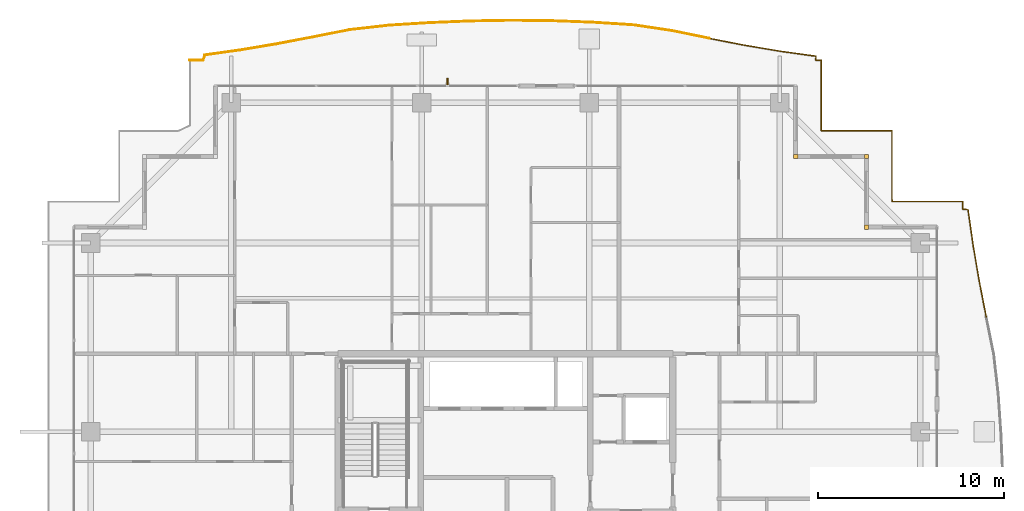
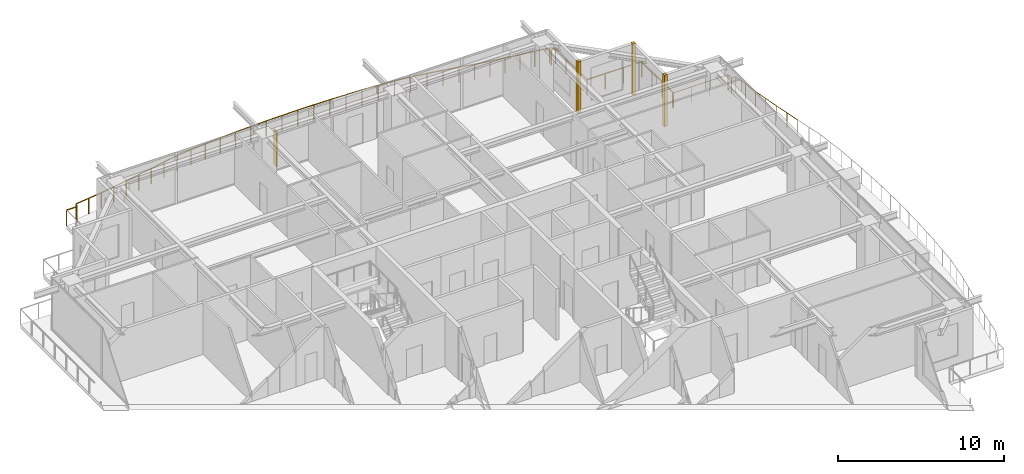
# One storey, part 40 of 40: 4 railings, 3 coverings, 1 shading device.
"""IFC4 building model written with IfcOpenShell, lengths in metres."""

import ifcopenshell
import ifcopenshell.guid

model = None  # the IFC model being written
_history = None  # IfcOwnerHistory: only IFC2X3 demands one
_inside = {}  # id of a spatial element -> (the spatial element, [elements in it])
_under = {}  # id of a project, library or spatial element -> (it, [spatial elements below it])
_declared = {}  # id of a project -> (the project, [libraries it declares])
_typed = {}  # id of a type object -> (the type object, [elements of that type])
_made_of = {}  # id of a material, layer set ... -> (it, [elements and type objects made of it])


def new_model(schema):
    """Start an empty IFC model of exactly this schema.

    Asked for "IFC4X3", IfcOpenShell would pick the latest addendum, in which some entities
    have other attributes; the version numbers below select the first issue.
    IFC2X3 requires an IfcOwnerHistory on every rooted entity: one is made here for all.
    """
    global model, _history
    if schema == "IFC4X3":
        model = ifcopenshell.file(schema_version=(4, 3, 0, 0))
    else:
        model = ifcopenshell.file(schema=schema)
    _inside.clear()
    _under.clear()
    _declared.clear()
    _typed.clear()
    _made_of.clear()
    _history = None
    if model.schema == "IFC2X3":
        org = make("IfcOrganization", Name="unknown")
        user = make(
            "IfcPersonAndOrganization",
            ThePerson=make("IfcPerson", FamilyName="unknown"),
            TheOrganization=org,
        )
        app = make(
            "IfcApplication",
            ApplicationDeveloper=org,
            Version="unknown",
            ApplicationFullName="unknown",
            ApplicationIdentifier="unknown",
        )
        _history = make(
            "IfcOwnerHistory",
            OwningUser=user,
            OwningApplication=app,
            ChangeAction="ADDED",
            CreationDate=0,
        )
    return model


def make(cls, **values):
    """One entity of the class cls with the attributes given. An attribute that is None is left unset."""
    return model.create_entity(
        cls, **{name: value for name, value in values.items() if value is not None}
    )


def rooted(cls, **values):
    """An entity with a GlobalId (a new one), such as an element, a storey or a relation."""
    return make(cls, GlobalId=ifcopenshell.guid.new(), OwnerHistory=_history, **values)


def si_unit(unit_type, name, prefix=None):
    """IfcSIUnit, for example si_unit("LENGTHUNIT", "METRE", prefix="MILLI")."""
    return make("IfcSIUnit", UnitType=unit_type, Prefix=prefix, Name=name)


def assignment(units):
    """IfcUnitAssignment: the units of a project."""
    return None if units is None else make("IfcUnitAssignment", Units=units)


def point(xyz):
    """IfcCartesianPoint."""
    return None if xyz is None else make("IfcCartesianPoint", Coordinates=xyz)


def direction(xyz):
    """IfcDirection."""
    return None if xyz is None else make("IfcDirection", DirectionRatios=xyz)


def frame(location, z_axis=None, x_axis=None):
    """IfcAxis2Placement3D, a coordinate frame: its origin and axes. An axis left out is left unset."""
    return make(
        "IfcAxis2Placement3D",
        Location=point(location),
        Axis=direction(z_axis),
        RefDirection=direction(x_axis),
    )


def frame_2d(location, x_axis=None):
    """IfcAxis2Placement2D, a coordinate frame in the plane: its origin and x axis."""
    return make(
        "IfcAxis2Placement2D", Location=point(location), RefDirection=direction(x_axis)
    )


def origin():
    """The frame at (0, 0, 0) with its axes left unset."""
    return frame((0.0, 0.0, 0.0))


def origin_2d():
    """The frame at (0, 0) in the plane with its x axis left unset."""
    return frame_2d((0.0, 0.0))


def place(relative_to, where):
    """IfcLocalPlacement: puts the frame where relative to a parent placement (None: the world)."""
    return make(
        "IfcLocalPlacement", PlacementRelTo=relative_to, RelativePlacement=where
    )


def context(
    kind, dimensions, precision=None, world=None, true_north=None, identifier=None
):
    """IfcGeometricRepresentationContext, for example the 3D "Model" context."""
    return make(
        "IfcGeometricRepresentationContext",
        ContextIdentifier=identifier,
        ContextType=kind,
        CoordinateSpaceDimension=dimensions,
        Precision=precision,
        WorldCoordinateSystem=world,
        TrueNorth=true_north,
    )


def subcontext(parent, identifier, kind, view, scale=None):
    """IfcGeometricRepresentationSubContext, for example "Body" below "Model"."""
    return make(
        "IfcGeometricRepresentationSubContext",
        ContextIdentifier=identifier,
        ContextType=kind,
        ParentContext=parent,
        TargetScale=scale,
        TargetView=view,
    )


def project(units=None, contexts=None):
    """IfcProject with its units and contexts."""
    return rooted(
        "IfcProject",
        Name="project",
        RepresentationContexts=contexts,
        UnitsInContext=assignment(units),
    )


def spatial(cls, under=None, at=None, **own):
    """A site, building, storey or space (cls), placed at a placement, below another one or the project."""
    s = rooted(cls, ObjectPlacement=at, **own)
    if under is not None:
        _under.setdefault(under.id(), (under, []))[1].append(s)
    return s


def profile(cls, at=None, kind="AREA", **sizes):
    """A parametric profile (cls). Its sizes go by their IFC names, for example OverallWidth=200.0."""
    return make(cls, ProfileType=kind, Position=at, **sizes)


def rectangle(**sizes):
    """IfcRectangleProfileDef."""
    return profile("IfcRectangleProfileDef", **sizes)


def circle(**sizes):
    """IfcCircleProfileDef."""
    return profile("IfcCircleProfileDef", **sizes)


def extrude(swept, where, along, depth):
    """IfcExtrudedAreaSolid: the profile swept, set in the frame where, extruded along a direction by depth."""
    return make(
        "IfcExtrudedAreaSolid",
        SweptArea=swept,
        Position=where,
        ExtrudedDirection=direction(along),
        Depth=depth,
    )


def shape(context_of_items, identifier, shape_type, items):
    """IfcShapeRepresentation: the items that make up one representation, for example the "Body"."""
    return make(
        "IfcShapeRepresentation",
        ContextOfItems=context_of_items,
        RepresentationIdentifier=identifier,
        RepresentationType=shape_type,
        Items=items,
    )


def source(mapping_origin, context_of_items, identifier, shape_type, items):
    """IfcRepresentationMap: a shape defined once, which mapped items show again and again."""
    return make(
        "IfcRepresentationMap",
        MappingOrigin=mapping_origin,
        MappedRepresentation=shape(context_of_items, identifier, shape_type, items),
    )


def transform(
    local_origin,
    x_axis=None,
    y_axis=None,
    z_axis=None,
    scale=None,
    scale2=None,
    scale3=None,
    uniform=True,
):
    """IfcCartesianTransformationOperator3D, or its non-uniform kind. x_axis, y_axis, z_axis: its Axis1, 2, 3."""
    if uniform:
        return make(
            "IfcCartesianTransformationOperator3D",
            Axis1=direction(x_axis),
            Axis2=direction(y_axis),
            LocalOrigin=point(local_origin),
            Scale=scale,
            Axis3=direction(z_axis),
        )
    return make(
        "IfcCartesianTransformationOperator3DnonUniform",
        Axis1=direction(x_axis),
        Axis2=direction(y_axis),
        LocalOrigin=point(local_origin),
        Scale=scale,
        Axis3=direction(z_axis),
        Scale2=scale2,
        Scale3=scale3,
    )


def mapped(mapping_source, mapping_target):
    """IfcMappedItem: shows the shape of a source again, moved by a transform."""
    return make(
        "IfcMappedItem", MappingSource=mapping_source, MappingTarget=mapping_target
    )


def material(Name=None, Category=None):
    """IfcMaterial."""
    return make("IfcMaterial", Name=Name, Category=Category)


def layer(
    of_material, thickness, ventilated=None, Name=None, Category=None, Priority=None
):
    """IfcMaterialLayer: one layer of a wall or slab, of a material (None: an air gap)."""
    return make(
        "IfcMaterialLayer",
        Material=of_material,
        LayerThickness=thickness,
        IsVentilated=ventilated,
        Name=Name,
        Category=Category,
        Priority=Priority,
    )


def layer_set(layers, Name=None):
    """IfcMaterialLayerSet."""
    return make("IfcMaterialLayerSet", MaterialLayers=layers, LayerSetName=Name)


def made_of(thing, what):
    """Note that an element or type object is made of a material, layer set ...; save() writes the relation."""
    if what is not None:
        _made_of.setdefault(what.id(), (what, []))[1].append(thing)
    return thing


def type_object(cls, material=None, **own):
    """A type object (cls), such as IfcWallType, which elements share."""
    return made_of(rooted(cls, **own), material)


def element(
    cls,
    number,
    at=None,
    inside=None,
    cuts=None,
    type_object=None,
    material=None,
    context=None,
    identifier="Body",
    shape_type=None,
    held_by="IfcProductDefinitionShape",
    body=None,
    shapes=None,
    **own,
):
    """One element of the class cls, such as IfcWall. Its Tag is "e" and its number.

    at: its placement. inside: the storey or other place that contains it. cuts: it is an
    opening in that element (IfcRelVoidsElement). A single representation is given by context,
    identifier, shape_type and body (its items); several are given by shapes. held_by: the class
    of the entity that holds the representations. save() writes the other relations.
    """
    e = rooted(cls, Tag="e%d" % number, ObjectPlacement=at, **own)
    if body is not None:
        shapes = [shape(context, identifier, shape_type, body)]
    if shapes is not None:
        e.Representation = make(held_by, Representations=shapes)
    if inside is not None:
        _inside.setdefault(inside.id(), (inside, []))[1].append(e)
    if cuts is not None:
        rooted(
            "IfcRelVoidsElement", RelatingBuildingElement=cuts, RelatedOpeningElement=e
        )
    if type_object is not None:
        _typed.setdefault(type_object.id(), (type_object, []))[1].append(e)
    return made_of(e, material)


def aggregate(whole, parts):
    """IfcRelAggregates: a whole, such as a stair, and the parts it consists of."""
    return rooted("IfcRelAggregates", RelatingObject=whole, RelatedObjects=parts)


def save(model, path):
    """Write the relations noted so far, then the file.

    IfcRelAggregates (storeys below a building ...), IfcRelContainedInSpatialStructure (elements
    in a storey), IfcRelDefinesByType, IfcRelAssociatesMaterial and IfcRelDeclares: one each for
    every whole, place, type object, material and project.
    """
    for whole, parts in _under.values():
        aggregate(whole, parts)
    for where, things in _inside.values():
        rooted(
            "IfcRelContainedInSpatialStructure",
            RelatedElements=things,
            RelatingStructure=where,
        )
    for kind, things in _typed.values():
        rooted("IfcRelDefinesByType", RelatedObjects=things, RelatingType=kind)
    for what, things in _made_of.values():
        rooted("IfcRelAssociatesMaterial", RelatedObjects=things, RelatingMaterial=what)
    for by, libraries in _declared.values():
        rooted("IfcRelDeclares", RelatingContext=by, RelatedDefinitions=libraries)
    model.write(path)


model = new_model("IFC4")

# Units and contexts
model_context = context("Model", 3, precision=1e-05, world=origin(), true_north=direction((0.0, 1.0)))
body_context = subcontext(model_context, "Body", "Model", "MODEL_VIEW")
ifc_project = project(units=[si_unit("LENGTHUNIT", "METRE"), si_unit("AREAUNIT", "SQUARE_METRE"), si_unit("VOLUMEUNIT", "CUBIC_METRE"), si_unit("PLANEANGLEUNIT", "RADIAN"), si_unit("MASSUNIT", "GRAM", prefix="KILO")], contexts=[model_context])

# Site, building, storey
site_placement = place(None, origin())
site = spatial("IfcSite", under=ifc_project, at=site_placement, CompositionType="ELEMENT")
building_placement = place(site_placement, origin())
building = spatial("IfcBuilding", under=site, at=building_placement, Name="Serunith Strait Residences", CompositionType="ELEMENT")
storey_placement = place(building_placement, frame((0.0, 0.0, 313.699951171875)))
storey = spatial("IfcBuildingStorey", under=building, at=storey_placement, Name="L78", CompositionType="ELEMENT", Elevation=313.699951171875)

# Railings
ifc_material_1 = material(Name="Stainless Steel & Laminated Glass Balustrade", Category="steel")
railing_type = type_object("IfcRailingType", Name="RLG-BALC-1150", PredefinedType="BALUSTRADE", material=ifc_material_1)
railing_1_placement = place(storey_placement, frame((15.419921875, 49.3798828125, -0.050048828125)))
element("IfcRailing", 1, at=railing_1_placement, inside=storey, type_object=railing_type, Name="L78 Swirling Balcony Perimeter Balustrade 1", PredefinedType="BALUSTRADE", context=body_context, shape_type="SweptSolid", body=[
    extrude(circle(Radius=0.02392578125, at=origin_2d()), frame((0.001953125, 0.0, 1.1259765625), z_axis=(1.0, 0.0, 0.0), x_axis=(0.0, 1.0, 0.0)), (0.0, 0.0, 1.0), 0.72607421875),
    extrude(circle(Radius=0.02392578125, at=origin_2d()), frame((0.730712890625, 0.001953125, 1.1259765625), z_axis=(0.31419451508, 0.949358629125, 0.0), x_axis=(-0.949358629125, 0.31419451508, 0.0)), (0.0, 0.0, 1.0), 0.2841796875),
    extrude(circle(Radius=0.02392578125, at=origin_2d()), frame((0.822509765625, 0.27392578125, 1.1259765625), z_axis=(0.990224773786, 0.139480813668, 0.0), x_axis=(-0.139480813668, 0.990224773786, 0.0)), (0.0, 0.0, 1.0), 1.916015625),
    extrude(circle(Radius=0.02392578125, at=origin_2d()), frame((2.723876953125, 0.541748046875, 1.1259765625), z_axis=(0.986172650087, 0.165721164071, 0.0), x_axis=(-0.165721164071, 0.986172650087, 0.0)), (0.0, 0.0, 1.0), 1.942138671875),
    extrude(circle(Radius=0.02392578125, at=origin_2d()), frame((4.64306640625, 0.864501953125, 1.1259765625), z_axis=(0.982482261647, 0.1863561256, 0.0), x_axis=(-0.1863561256, 0.982482261647, 0.0)), (0.0, 0.0, 1.0), 1.984619140625),
    extrude(circle(Radius=0.02392578125, at=origin_2d()), frame((6.596923828125, 1.235107421875, 1.1259765625), z_axis=(0.98088689854, 0.194578755962, 0.0), x_axis=(-0.194578755962, 0.98088689854, 0.0)), (0.0, 0.0, 1.0), 2.04248046875),
    extrude(circle(Radius=0.02392578125, at=origin_2d()), frame((8.604248046875, 1.633056640625, 1.1259765625), z_axis=(0.993673295543, 0.112309312729, 0.0), x_axis=(-0.112309312729, 0.993673295543, 0.0)), (0.0, 0.0, 1.0), 2.1220703125),
    extrude(circle(Radius=0.02392578125, at=origin_2d()), frame((10.716796875, 1.871826171875, 1.1259765625), z_axis=(0.998046891028, 0.062469218891, 0.0), x_axis=(-0.062469218891, 0.998046891028, 0.0)), (0.0, 0.0, 1.0), 2.1689453125),
    extrude(circle(Radius=0.02099609375, at=origin_2d()), origin(), (0.0, 0.0, 1.0), 1.099853515625),
    extrude(circle(Radius=0.02099609375, at=origin_2d()), frame((0.72998046875, 0.0, 0.0)), (0.0, 0.0, 1.0), 1.099853515625),
    extrude(circle(Radius=0.02099609375, at=origin_2d()), frame((0.820556640625, 0.273681640625, 0.0)), (0.0, 0.0, 1.0), 1.099853515625),
    extrude(circle(Radius=0.02099609375, at=origin_2d()), frame((1.771240234375, 0.40771484375, 0.0)), (0.0, 0.0, 1.0), 1.099853515625),
    extrude(circle(Radius=0.02099609375, at=origin_2d()), frame((2.721923828125, 0.54150390625, 0.0)), (0.0, 0.0, 1.0), 1.099853515625),
    extrude(circle(Radius=0.02099609375, at=origin_2d()), frame((3.681640625, 0.70263671875, 0.0)), (0.0, 0.0, 1.0), 1.099853515625),
    extrude(circle(Radius=0.02099609375, at=origin_2d()), frame((4.64111328125, 0.864013671875, 0.0)), (0.0, 0.0, 1.0), 1.099853515625),
    extrude(circle(Radius=0.02099609375, at=origin_2d()), frame((5.6181640625, 1.04931640625, 0.0)), (0.0, 0.0, 1.0), 1.099853515625),
    extrude(circle(Radius=0.02099609375, at=origin_2d()), frame((6.594970703125, 1.234619140625, 0.0)), (0.0, 0.0, 1.0), 1.099853515625),
    extrude(circle(Radius=0.02099609375, at=origin_2d()), frame((7.5986328125, 1.43359375, 0.0)), (0.0, 0.0, 1.0), 1.099853515625),
    extrude(circle(Radius=0.02099609375, at=origin_2d()), frame((8.602294921875, 1.6328125, 0.0)), (0.0, 0.0, 1.0), 1.099853515625),
    extrude(circle(Radius=0.02099609375, at=origin_2d()), frame((9.65869140625, 1.752197265625, 0.0)), (0.0, 0.0, 1.0), 1.099853515625),
    extrude(circle(Radius=0.02099609375, at=origin_2d()), frame((10.71484375, 1.87158203125, 0.0)), (0.0, 0.0, 1.0), 1.099853515625),
    extrude(circle(Radius=0.02099609375, at=origin_2d()), frame((11.79931640625, 1.939453125, 0.0)), (0.0, 0.0, 1.0), 1.099853515625),
    extrude(circle(Radius=0.02099609375, at=origin_2d()), frame((12.883544921875, 2.00732421875, 0.0)), (0.0, 0.0, 1.0), 1.099853515625),
])
railing_2_placement = place(storey_placement, frame((28.303466796875, 51.38720703125, -0.050048828125)))
element("IfcRailing", 2, at=railing_2_placement, inside=storey, type_object=railing_type, Name="L78 Swirling Balcony Perimeter Balustrade 2", PredefinedType="BALUSTRADE", context=body_context, shape_type="SweptSolid", body=[
    extrude(circle(Radius=0.02392578125, at=origin_2d()), frame((0.001953125, 0.0, 1.1259765625), z_axis=(0.999149559073, 0.041232979579, 0.0), x_axis=(-0.041232979579, 0.999149559073, 0.0)), (0.0, 0.0, 1.0), 2.192626953125),
    extrude(circle(Radius=0.02392578125, at=origin_2d()), frame((2.19677734375, 0.090576171875, 1.1259765625), z_axis=(0.999860833061, 0.016682760861, 0.0), x_axis=(-0.016682760861, 0.999860833061, 0.0)), (0.0, 0.0, 1.0), 2.205810546875),
    extrude(circle(Radius=0.02392578125, at=origin_2d()), frame((4.40625, 0.12744140625, 1.1259765625), z_axis=(0.999946086007, -0.01038388556, 0.0), x_axis=(0.01038388556, 0.999946086007, 0.0)), (0.0, 0.0, 1.0), 2.2060546875),
    extrude(circle(Radius=0.02392578125, at=origin_2d()), frame((6.6162109375, 0.1044921875, 1.1259765625), z_axis=(0.999281553316, -0.03789956731, 0.0), x_axis=(0.03789956731, 0.999281553316, 0.0)), (0.0, 0.0, 1.0), 2.192626953125),
    extrude(circle(Radius=0.02392578125, at=origin_2d()), frame((8.811279296875, 0.02099609375, 1.1259765625), z_axis=(0.997994400812, -0.063302258636, 0.0), x_axis=(0.063302258636, 0.997994400812, 0.0)), (0.0, 0.0, 1.0), 2.167236328125),
    extrude(circle(Radius=0.02392578125, at=origin_2d()), frame((10.978271484375, -0.116455078125, 1.1259765625), z_axis=(0.988986454145, -0.148006059058, 0.0), x_axis=(0.148006059058, 0.988986454145, 0.0)), (0.0, 0.0, 1.0), 2.1025390625),
    extrude(circle(Radius=0.02392578125, at=origin_2d()), frame((13.0615234375, -0.428466796875, 1.1259765625), z_axis=(0.979583275838, -0.201038816399, 0.0), x_axis=(0.201038816399, 0.979583275838, 0.0)), (0.0, 0.0, 1.0), 2.0263671875),
    extrude(circle(Radius=0.02099609375, at=origin_2d()), origin(), (0.0, 0.0, 1.0), 1.099853515625),
    extrude(circle(Radius=0.02099609375, at=origin_2d()), frame((1.097412109375, 0.04541015625, 0.0)), (0.0, 0.0, 1.0), 1.099853515625),
    extrude(circle(Radius=0.02099609375, at=origin_2d()), frame((2.19482421875, 0.090576171875, 0.0)), (0.0, 0.0, 1.0), 1.099853515625),
    extrude(circle(Radius=0.02099609375, at=origin_2d()), frame((3.299560546875, 0.10888671875, 0.0)), (0.0, 0.0, 1.0), 1.099853515625),
    extrude(circle(Radius=0.02099609375, at=origin_2d()), frame((4.404296875, 0.12744140625, 0.0)), (0.0, 0.0, 1.0), 1.099853515625),
    extrude(circle(Radius=0.02099609375, at=origin_2d()), frame((5.50927734375, 0.115966796875, 0.0)), (0.0, 0.0, 1.0), 1.099853515625),
    extrude(circle(Radius=0.02099609375, at=origin_2d()), frame((6.6142578125, 0.1044921875, 0.0)), (0.0, 0.0, 1.0), 1.099853515625),
    extrude(circle(Radius=0.02099609375, at=origin_2d()), frame((7.7119140625, 0.06298828125, 0.0)), (0.0, 0.0, 1.0), 1.099853515625),
    extrude(circle(Radius=0.02099609375, at=origin_2d()), frame((8.809326171875, 0.021240234375, 0.0)), (0.0, 0.0, 1.0), 1.099853515625),
    extrude(circle(Radius=0.02099609375, at=origin_2d()), frame((9.892822265625, -0.04736328125, 0.0)), (0.0, 0.0, 1.0), 1.099853515625),
    extrude(circle(Radius=0.02099609375, at=origin_2d()), frame((10.976318359375, -0.1162109375, 0.0)), (0.0, 0.0, 1.0), 1.099853515625),
    extrude(circle(Radius=0.02099609375, at=origin_2d()), frame((12.01806640625, -0.27197265625, 0.0)), (0.0, 0.0, 1.0), 1.099853515625),
    extrude(circle(Radius=0.02099609375, at=origin_2d()), frame((13.0595703125, -0.427978515625, 0.0)), (0.0, 0.0, 1.0), 1.099853515625),
    extrude(circle(Radius=0.02099609375, at=origin_2d()), frame((14.05419921875, -0.632080078125, 0.0)), (0.0, 0.0, 1.0), 1.099853515625),
    extrude(circle(Radius=0.02099609375, at=origin_2d()), frame((15.048583984375, -0.836181640625, 0.0)), (0.0, 0.0, 1.0), 1.099853515625),
])
railing_3_placement = place(storey_placement, frame((43.35205078125, 50.551025390625, -0.050048828125)))
element("IfcRailing", 3, at=railing_3_placement, inside=storey, type_object=railing_type, Name="L78 Swirling Balcony Perimeter Balustrade 3", PredefinedType="BALUSTRADE", context=body_context, shape_type="SweptSolid", body=[
    extrude(circle(Radius=0.02392578125, at=origin_2d()), frame((0.001953125, -0.00048828125, 1.1259765625), z_axis=(0.981830438429, -0.18976034932, 0.0), x_axis=(0.18976034932, 0.981830438429, 0.0)), (0.0, 0.0, 1.0), 1.969482421875),
    extrude(circle(Radius=0.02392578125, at=origin_2d()), frame((1.939697265625, -0.374755859375, 1.1259765625), z_axis=(0.98608167585, -0.16626162682, 0.0), x_axis=(0.16626162682, 0.98608167585, 0.0)), (0.0, 0.0, 1.0), 1.929931640625),
    extrude(circle(Radius=0.02392578125, at=origin_2d()), frame((3.8466796875, -0.6962890625, 1.1259765625), z_axis=(0.990523679584, -0.137342055405, 0.0), x_axis=(0.137342055405, 0.990523679584, 0.0)), (0.0, 0.0, 1.0), 1.906982421875),
    extrude(circle(Radius=0.02392578125, at=origin_2d()), frame((5.737548828125, -0.96044921875, 1.1259765625), z_axis=(-0.009184457607, -0.99995782198, 0.0), x_axis=(0.99995782198, -0.009184457607, 0.0)), (0.0, 0.0, 1.0), 0.208740234375),
    extrude(circle(Radius=0.02392578125, at=origin_2d()), frame((5.737548828125, -1.171142578125, 1.1259765625), z_axis=(1.0, 0.0, 0.0), x_axis=(0.0, 1.0, 0.0)), (0.0, 0.0, 1.0), 0.288330078125),
    extrude(circle(Radius=0.02392578125, at=origin_2d()), frame((6.02783203125, -1.173095703125, 1.1259765625), z_axis=(0.0, -1.0, 0.0), x_axis=(1.0, 0.0, 0.0)), (0.0, 0.0, 1.0), 3.7958984375),
    extrude(circle(Radius=0.02392578125, at=origin_2d()), frame((6.02978515625, -4.970947265625, 1.1259765625), z_axis=(1.0, 0.0, 0.0), x_axis=(0.0, 1.0, 0.0)), (0.0, 0.0, 1.0), 3.796142578125),
    extrude(circle(Radius=0.02392578125, at=origin_2d()), frame((9.827880859375, -4.972900390625, 1.1259765625), z_axis=(0.0, -1.0, 0.0), x_axis=(1.0, 0.0, 0.0)), (0.0, 0.0, 1.0), 3.68359375),
    extrude(circle(Radius=0.02099609375, at=origin_2d()), origin(), (0.0, 0.0, 1.0), 1.099853515625),
    extrude(circle(Radius=0.02099609375, at=origin_2d()), frame((0.96875, -0.187255859375, 0.0)), (0.0, 0.0, 1.0), 1.099853515625),
    extrude(circle(Radius=0.02099609375, at=origin_2d()), frame((1.937744140625, -0.37451171875, 0.0)), (0.0, 0.0, 1.0), 1.099853515625),
    extrude(circle(Radius=0.02099609375, at=origin_2d()), frame((2.89111328125, -0.53515625, 0.0)), (0.0, 0.0, 1.0), 1.099853515625),
    extrude(circle(Radius=0.02099609375, at=origin_2d()), frame((3.8447265625, -0.696044921875, 0.0)), (0.0, 0.0, 1.0), 1.099853515625),
    extrude(circle(Radius=0.02099609375, at=origin_2d()), frame((4.791015625, -0.8271484375, 0.0)), (0.0, 0.0, 1.0), 1.099853515625),
    extrude(circle(Radius=0.02099609375, at=origin_2d()), frame((5.737548828125, -0.95849609375, 0.0)), (0.0, 0.0, 1.0), 1.099853515625),
    extrude(circle(Radius=0.02099609375, at=origin_2d()), frame((5.735595703125, -1.171142578125, 0.0)), (0.0, 0.0, 1.0), 1.099853515625),
    extrude(circle(Radius=0.02099609375, at=origin_2d()), frame((6.02783203125, -1.171142578125, 0.0)), (0.0, 0.0, 1.0), 1.099853515625),
    extrude(circle(Radius=0.02099609375, at=origin_2d()), frame((6.02783203125, -2.437744140625, 0.0)), (0.0, 0.0, 1.0), 1.099853515625),
    extrude(circle(Radius=0.02099609375, at=origin_2d()), frame((6.02783203125, -3.704345703125, 0.0)), (0.0, 0.0, 1.0), 1.099853515625),
    extrude(circle(Radius=0.02099609375, at=origin_2d()), frame((6.02783203125, -4.970947265625, 0.0)), (0.0, 0.0, 1.0), 1.099853515625),
    extrude(circle(Radius=0.02099609375, at=origin_2d()), frame((7.29443359375, -4.970947265625, 0.0)), (0.0, 0.0, 1.0), 1.099853515625),
    extrude(circle(Radius=0.02099609375, at=origin_2d()), frame((8.561279296875, -4.970947265625, 0.0)), (0.0, 0.0, 1.0), 1.099853515625),
    extrude(circle(Radius=0.02099609375, at=origin_2d()), frame((9.827880859375, -4.970947265625, 0.0)), (0.0, 0.0, 1.0), 1.099853515625),
    extrude(circle(Radius=0.02099609375, at=origin_2d()), frame((9.827880859375, -6.2001953125, 0.0)), (0.0, 0.0, 1.0), 1.099853515625),
    extrude(circle(Radius=0.02099609375, at=origin_2d()), frame((9.827880859375, -7.42919921875, 0.0)), (0.0, 0.0, 1.0), 1.099853515625),
    extrude(circle(Radius=0.02099609375, at=origin_2d()), frame((9.827880859375, -8.658447265625, 0.0)), (0.0, 0.0, 1.0), 1.099853515625),
])
railing_4_placement = place(storey_placement, frame((53.179931640625, 41.892578125, -0.050048828125)))
element("IfcRailing", 4, at=railing_4_placement, inside=storey, type_object=railing_type, Name="L78 Swirling Balcony Perimeter Balustrade 4", PredefinedType="BALUSTRADE", context=body_context, shape_type="SweptSolid", body=[
    extrude(circle(Radius=0.02392578125, at=origin_2d()), frame((0.000244140625, -0.001953125, 1.1259765625), z_axis=(0.150123021074, -0.988667324505, 0.0), x_axis=(0.988667324505, 0.150123021074, 0.0)), (0.0, 0.0, 1.0), 0.10986328125),
    extrude(circle(Radius=0.02392578125, at=origin_2d()), frame((0.01904296875, -0.112548828125, 1.1259765625), z_axis=(1.0, 0.0, 0.0), x_axis=(0.0, 1.0, 0.0)), (0.0, 0.0, 1.0), 3.779052734375),
    extrude(circle(Radius=0.02392578125, at=origin_2d()), frame((3.800048828125, -0.114501953125, 1.1259765625), z_axis=(0.0, -1.0, 0.0), x_axis=(1.0, 0.0, 0.0)), (0.0, 0.0, 1.0), 0.41064453125),
    extrude(circle(Radius=0.02392578125, at=origin_2d()), frame((3.802001953125, -0.527099609375, 1.1259765625), z_axis=(0.99821198541, -0.059773172779, 0.0), x_axis=(0.059773172779, 0.99821198541, 0.0)), (0.0, 0.0, 1.0), 0.281982421875),
    extrude(circle(Radius=0.02392578125, at=origin_2d()), frame((4.085693359375, -0.546142578125, 1.1259765625), z_axis=(0.141011913698, -0.990007899057, 0.0), x_axis=(0.990007899057, 0.141011913698, 0.0)), (0.0, 0.0, 1.0), 1.916015625),
    extrude(circle(Radius=0.02392578125, at=origin_2d()), frame((4.3564453125, -2.447021484375, 1.1259765625), z_axis=(0.168507583973, -0.985700357179, 0.0), x_axis=(0.985700357179, 0.168507583973, 0.0)), (0.0, 0.0, 1.0), 1.94189453125),
    extrude(circle(Radius=0.02392578125, at=origin_2d()), frame((4.6845703125, -4.364990234375, 1.1259765625), z_axis=(0.190586980888, -0.981670312639, 0.0), x_axis=(0.981670312639, 0.190586980888, 0.0)), (0.0, 0.0, 1.0), 1.984130859375),
    extrude(circle(Radius=0.02099609375, at=origin_2d()), origin(), (0.0, 0.0, 1.0), 1.099853515625),
    extrude(circle(Radius=0.02099609375, at=origin_2d()), frame((0.01708984375, -0.112548828125, 0.0)), (0.0, 0.0, 1.0), 1.099853515625),
    extrude(circle(Radius=0.02099609375, at=origin_2d()), frame((1.278076171875, -0.112548828125, 0.0)), (0.0, 0.0, 1.0), 1.099853515625),
    extrude(circle(Radius=0.02099609375, at=origin_2d()), frame((2.5390625, -0.112548828125, 0.0)), (0.0, 0.0, 1.0), 1.099853515625),
    extrude(circle(Radius=0.02099609375, at=origin_2d()), frame((3.800048828125, -0.112548828125, 0.0)), (0.0, 0.0, 1.0), 1.099853515625),
    extrude(circle(Radius=0.02099609375, at=origin_2d()), frame((3.800048828125, -0.527099609375, 0.0)), (0.0, 0.0, 1.0), 1.099853515625),
    extrude(circle(Radius=0.02099609375, at=origin_2d()), frame((4.08544921875, -0.544189453125, 0.0)), (0.0, 0.0, 1.0), 1.099853515625),
    extrude(circle(Radius=0.02099609375, at=origin_2d()), frame((4.220703125, -1.49462890625, 0.0)), (0.0, 0.0, 1.0), 1.099853515625),
    extrude(circle(Radius=0.02099609375, at=origin_2d()), frame((4.356201171875, -2.445068359375, 0.0)), (0.0, 0.0, 1.0), 1.099853515625),
    extrude(circle(Radius=0.02099609375, at=origin_2d()), frame((4.52001953125, -3.404052734375, 0.0)), (0.0, 0.0, 1.0), 1.099853515625),
    extrude(circle(Radius=0.02099609375, at=origin_2d()), frame((4.68408203125, -4.363037109375, 0.0)), (0.0, 0.0, 1.0), 1.099853515625),
    extrude(circle(Radius=0.02099609375, at=origin_2d()), frame((4.87353515625, -5.3388671875, 0.0)), (0.0, 0.0, 1.0), 1.099853515625),
    extrude(circle(Radius=0.02099609375, at=origin_2d()), frame((5.06298828125, -6.314697265625, 0.0)), (0.0, 0.0, 1.0), 1.099853515625),
])

# Shading device
ifc_material_2 = material(Name="Pale-Champagne Perforated Aluminium Fin", Category="aluminium")
shading_device_type = type_object("IfcShadingDeviceType", Name="SHD-DIAG-FIN", PredefinedType="AWNING", material=ifc_material_2)
shared_shape_1 = source(origin(), body_context, "Body", "SweptSolid", [
    extrude(rectangle(XDim=0.080078125, YDim=0.35009765625, at=origin_2d()), origin(), (0.0, 0.0, 1.0), 2.60009765625),
])
shading_device_placement = place(storey_placement, frame((29.280029296875, 48.219970703125, 0.199951171875), z_axis=(0.0, 0.0, 1.0), x_axis=(1.0, 0.0, 0.0)))
element("IfcShadingDevice", 5, at=shading_device_placement, inside=storey, type_object=shading_device_type, Name="L78 Diagonal Rhythm Solar Fin N", PredefinedType="AWNING", context=body_context, shape_type="MappedRepresentation", body=[
    mapped(shared_shape_1, transform((0.0, 0.0, 0.0), scale=1.0)),
])

# Coverings
ifc_material_3 = material(Name="Pale-Champagne Anodised Aluminium", Category="aluminium")
ifc_layer = layer(ifc_material_3, 0.219970703125, Name="Pale-Champagne Anodised Aluminium")
ifc_layer_set = layer_set([ifc_layer], Name="Pale-Champagne Anodised Aluminium")
covering_type = type_object("IfcCoveringType", Name="COV-CORN-TRIM", PredefinedType="CLADDING", material=ifc_layer_set)
shared_shape_2 = source(origin(), body_context, "Body", "SweptSolid", [
    extrude(rectangle(XDim=0.221923828125, YDim=0.221923828125, at=origin_2d()), origin(), (0.0, 0.0, 1.0), 3.77490234375),
])
for number, where, z_axis, x_axis, name in (
    (6, (51.800048828125, 40.39990234375, 0.0), (0.0, 0.0, 1.0), (1.0, 0.0, 0.0), "L78 Girih Serrated Corner Trim Post 07"),
    (7, (51.800048828125, 44.199951171875, 0.0), (0.0, 0.0, 1.0), (1.0, 0.0, 0.0), "L78 Girih Serrated Corner Trim Post 08"),
    (8, (48.0, 44.199951171875, 0.0), (0.0, 0.0, 1.0), (1.0, 0.0, 0.0), "L78 Girih Serrated Corner Trim Post 09"),
):
    element("IfcCovering", number, at=place(storey_placement, frame(where, z_axis=z_axis, x_axis=x_axis)), inside=storey, type_object=covering_type, Name=name, PredefinedType="CLADDING", context=body_context, shape_type="MappedRepresentation", body=[
        mapped(shared_shape_2, transform((0.0, 0.0, 0.0), scale=1.0)),
    ])

save(model, "model.ifc")
